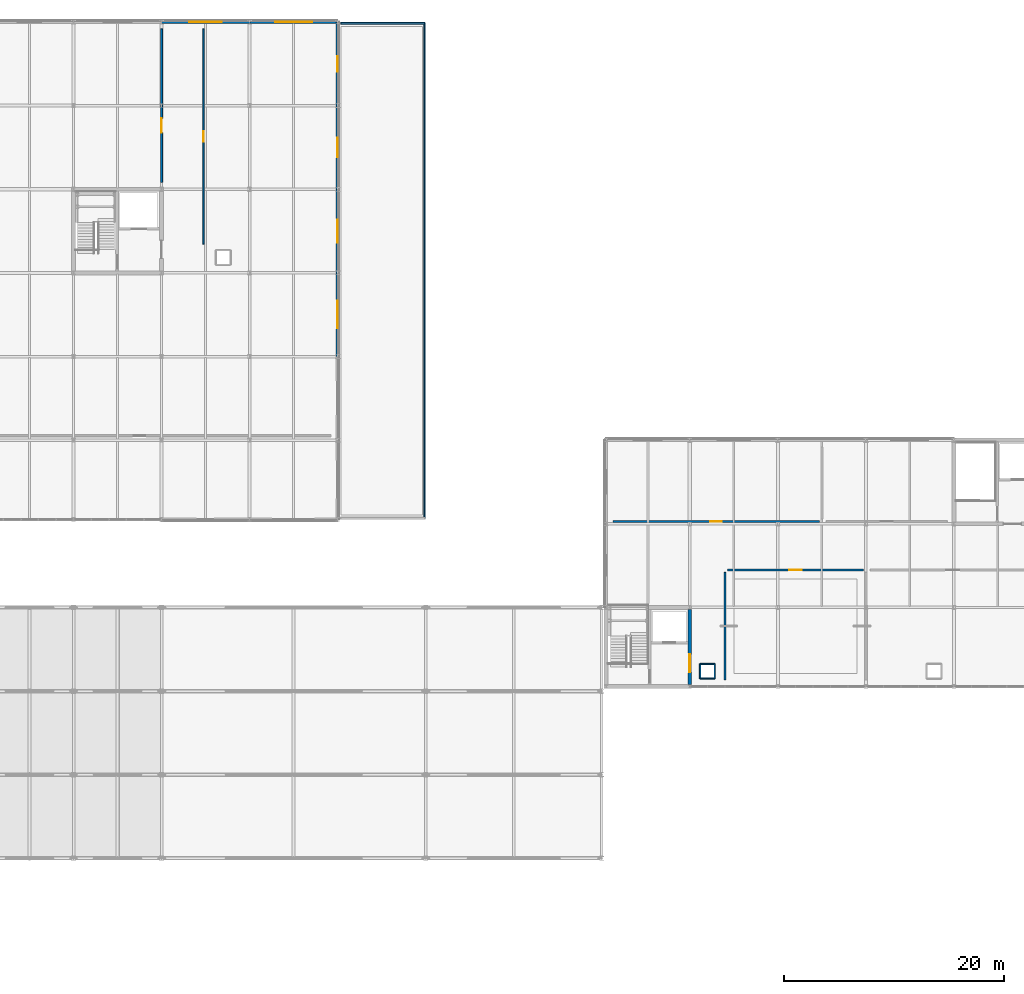
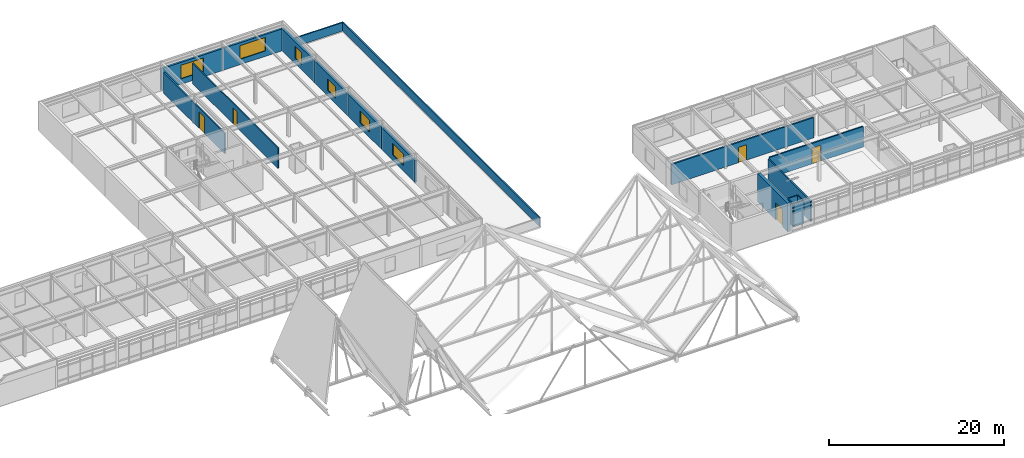
# One storey, part 73 of 85: 18 walls, 6 windows, 5 doors, 11 openings.
"""IFC4 building model written with IfcOpenShell, lengths in metres."""

from ifc_helpers import new_model, si_unit, direction, frame, frame_2d, origin, place, context, subcontext, project, spatial, rectangle, extrude, material, layer, layer_set, type_object, element, fill, save


model = new_model("IFC4")

# Units and contexts
model_context = context("Model", 3, precision=1e-05, world=origin(), true_north=direction((0.0, 1.0)))
body_context = subcontext(model_context, "Body", "Model", "MODEL_VIEW")
ifc_project = project(units=[si_unit("LENGTHUNIT", "METRE"), si_unit("AREAUNIT", "SQUARE_METRE"), si_unit("VOLUMEUNIT", "CUBIC_METRE"), si_unit("PLANEANGLEUNIT", "RADIAN"), si_unit("MASSUNIT", "GRAM", prefix="KILO")], contexts=[model_context])

# Site, building, storey
site_placement = place(None, origin())
site = spatial("IfcSite", under=ifc_project, at=site_placement, CompositionType="ELEMENT")
building_placement = place(site_placement, origin())
building = spatial("IfcBuilding", under=site, at=building_placement, Name="Zulena Civic Courthouse", CompositionType="ELEMENT")
storey_placement = place(building_placement, frame((0.0, 0.0, 25.199951171875)))
storey = spatial("IfcBuildingStorey", under=building, at=storey_placement, Name="L05", CompositionType="ELEMENT", Elevation=25.199951171875)

# Wall, opening, door
ifc_material_1 = material(Name="Concrete C40/50", Category="concrete")
ifc_layer_1 = layer(ifc_material_1, 0.35009765625)
ifc_layer_set_1 = layer_set([ifc_layer_1], Name="Concrete C40/50")
wall_type_1 = type_object("IfcWallType", Name="CoreShearWall_RC350", PredefinedType="SHEAR", material=ifc_layer_set_1)
wall_1_placement = place(storey_placement, frame((132.0, 30.97509765625, 0.0), z_axis=(0.0, 0.0, 1.0), x_axis=(0.0, 1.0, 0.0)))
wall_1 = element("IfcWall", 1, at=wall_1_placement, inside=storey, type_object=wall_type_1, Name="cwall:K3A:L05:E", PredefinedType="SHEAR", context=body_context, shape_type="SweptSolid", body=[
    extrude(rectangle(XDim=6.849853515625, YDim=0.35009765625, at=frame_2d((3.4248046875, 0.0))), origin(), (0.0, 0.0, 1.0), 3.989990234375),
])
opening_1_placement = place(wall_1_placement, frame((1.14990234375, 0.0, 0.0)))
opening_1 = element("IfcOpeningElement", 2, at=opening_1_placement, cuts=wall_1, Name="Opening ID04", PredefinedType="OPENING", context=body_context, shape_type="SweptSolid", body=[
    extrude(rectangle(XDim=1.60009765625, YDim=2.35009765625, at=frame_2d((0.800048828125, 1.175048828125))), frame((0.0, 0.18505859375, 0.0), z_axis=(0.0, -1.0, 0.0), x_axis=(1.0, 0.0, 0.0)), (0.0, 0.0, 1.0), 0.3701171875),
])
ifc_material_2 = material(Name="Solid-core acoustic hardwood timber", Category="wood")
door_type_1 = type_object("IfcDoorType", Name="IntDoor_CourtPublic_1600x2350", OperationType="DOUBLE_DOOR_SINGLE_SWING", PredefinedType="DOOR", material=ifc_material_2)
door_1_placement = place(opening_1_placement, origin())
door_1 = element("IfcDoor", 3, at=door_1_placement, inside=storey, type_object=door_type_1, Name="door:corelob:K3A:L05", OperationType="DOUBLE_DOOR_SINGLE_SWING", OverallHeight=2.35009765625, OverallWidth=1.60009765625, PredefinedType="DOOR", context=body_context, shape_type="SweptSolid", body=[
    extrude(rectangle(XDim=1.60009765625, YDim=2.35009765625, at=frame_2d((0.800048828125, 1.175048828125))), frame((0.0, 0.02490234375, 0.0), z_axis=(0.0, -1.0, 0.0), x_axis=(1.0, 0.0, 0.0)), (0.0, 0.0, 1.0), 0.050048828125),
])
fill(opening_1, door_1)

# Wall, opening, window
ifc_material_3 = material(Name="Buff architectural precast concrete C40/50", Category="concrete")
ifc_layer_2 = layer(ifc_material_3, 0.264892578125)
ifc_layer_set_2 = layer_set([ifc_layer_2], Name="Buff architectural precast concrete C40/50")
wall_type_2 = type_object("IfcWallType", Name="ExtWall_BuffPrecast_265", PredefinedType="STANDARD", material=ifc_layer_set_2)
wall_2_placement = place(storey_placement, frame((83.97998046875, 91.199951171875, 0.0), z_axis=(0.0, 0.0, 1.0), x_axis=(1.0, 0.0, 0.0)))
wall_2 = element("IfcWall", 4, at=wall_2_placement, inside=storey, type_object=wall_type_2, Name="ewall:V5:L05:3:2", PredefinedType="STANDARD", context=body_context, shape_type="SweptSolid", body=[
    extrude(rectangle(XDim=8.0400390625, YDim=0.264892578125, at=frame_2d((4.02001953125, 0.0))), origin(), (0.0, 0.0, 1.0), 3.06005859375),
])
opening_2_placement = place(wall_2_placement, frame((2.544921875, 0.0, 0.75)))
opening_2 = element("IfcOpeningElement", 5, at=opening_2_placement, cuts=wall_2, Name="Opening WN40", PredefinedType="OPENING", context=body_context, shape_type="SweptSolid", body=[
    extrude(rectangle(XDim=2.949951171875, YDim=1.89990234375, at=frame_2d((1.47509765625, 0.949951171875))), frame((0.0, 0.142333984375, 0.0), z_axis=(0.0, -1.0, 0.0), x_axis=(1.0, 0.0, 0.0)), (0.0, 0.0, 1.0), 0.284912109375),
])
ifc_material_4 = material(Name="Double-silver low-E laminated solar-control glass", Category="glass")
window_type_1 = type_object("IfcWindowType", Name="Win_2950x1900", PartitioningType="DOUBLE_PANEL_VERTICAL", PredefinedType="WINDOW", material=ifc_material_4)
window_1_placement = place(opening_2_placement, origin())
window_1 = element("IfcWindow", 6, at=window_1_placement, inside=storey, type_object=window_type_1, Name="win:V5:L05:3:2", OverallHeight=1.89990234375, OverallWidth=2.949951171875, PartitioningType="SINGLE_PANEL", PredefinedType="WINDOW", context=body_context, shape_type="SweptSolid", body=[
    extrude(rectangle(XDim=2.949951171875, YDim=1.89990234375, at=frame_2d((1.47509765625, 0.949951171875))), frame((0.0, 0.030029296875, 0.0), z_axis=(0.0, -1.0, 0.0), x_axis=(1.0, 0.0, 0.0)), (0.0, 0.0, 1.0), 0.06005859375),
])
fill(opening_2, window_1)

wall_3_placement = place(storey_placement, frame((91.97998046875, 91.199951171875, 0.0), z_axis=(0.0, 0.0, 1.0), x_axis=(1.0, 0.0, 0.0)))
wall_3 = element("IfcWall", 7, at=wall_3_placement, inside=storey, type_object=wall_type_2, Name="ewall:V5:L05:3:3", PredefinedType="STANDARD", context=body_context, shape_type="SweptSolid", body=[
    extrude(rectangle(XDim=8.0400390625, YDim=0.264892578125, at=frame_2d((4.02001953125, 0.0))), origin(), (0.0, 0.0, 1.0), 3.06005859375),
])
opening_3_placement = place(wall_3_placement, frame((2.344970703125, 0.0, 0.75)))
opening_3 = element("IfcOpeningElement", 8, at=opening_3_placement, cuts=wall_3, Name="Opening WN41", PredefinedType="OPENING", context=body_context, shape_type="SweptSolid", body=[
    extrude(rectangle(XDim=3.35009765625, YDim=1.89990234375, at=frame_2d((1.675048828125, 0.949951171875))), frame((0.0, 0.142333984375, 0.0), z_axis=(0.0, -1.0, 0.0), x_axis=(1.0, 0.0, 0.0)), (0.0, 0.0, 1.0), 0.284912109375),
])
window_type_2 = type_object("IfcWindowType", Name="Win_3350x1900", PartitioningType="DOUBLE_PANEL_VERTICAL", PredefinedType="WINDOW", material=ifc_material_4)
window_2_placement = place(opening_3_placement, origin())
window_2 = element("IfcWindow", 9, at=window_2_placement, inside=storey, type_object=window_type_2, Name="win:V5:L05:3:3", OverallHeight=1.89990234375, OverallWidth=3.35009765625, PartitioningType="SINGLE_PANEL", PredefinedType="WINDOW", context=body_context, shape_type="SweptSolid", body=[
    extrude(rectangle(XDim=3.35009765625, YDim=1.89990234375, at=frame_2d((1.675048828125, 0.949951171875))), frame((0.0, 0.030029296875, 0.0), z_axis=(0.0, -1.0, 0.0), x_axis=(1.0, 0.0, 0.0)), (0.0, 0.0, 1.0), 0.06005859375),
])
fill(opening_3, window_2)

wall_4_placement = place(storey_placement, frame((100.0, 91.219970703125, 0.0), z_axis=(0.0, 0.0, 1.0), x_axis=(0.0, -1.0, 0.0)))
wall_4 = element("IfcWall", 10, at=wall_4_placement, inside=storey, type_object=wall_type_2, Name="ewall:V5:L05:4:0", PredefinedType="STANDARD", context=body_context, shape_type="SweptSolid", body=[
    extrude(rectangle(XDim=7.639892578125, YDim=0.264892578125, at=frame_2d((3.81982421875, 0.0))), origin(), (0.0, 0.0, 1.0), 3.06005859375),
])
opening_4_placement = place(wall_4_placement, frame((3.1201171875, 0.0, 0.75)))
opening_4 = element("IfcOpeningElement", 11, at=opening_4_placement, cuts=wall_4, Name="Opening WN42", PredefinedType="OPENING", context=body_context, shape_type="SweptSolid", body=[
    extrude(rectangle(XDim=1.39990234375, YDim=1.64990234375, at=frame_2d((0.699951171875, 0.824951171875))), frame((0.0, 0.142333984375, 0.0), z_axis=(0.0, -1.0, 0.0), x_axis=(1.0, 0.0, 0.0)), (0.0, 0.0, 1.0), 0.284912109375),
])
window_type_3 = type_object("IfcWindowType", Name="Win_1400x1650", PartitioningType="SINGLE_PANEL", PredefinedType="WINDOW", material=ifc_material_4)
window_3_placement = place(opening_4_placement, origin())
window_3 = element("IfcWindow", 12, at=window_3_placement, inside=storey, type_object=window_type_3, Name="win:V5:L05:4:0", OverallHeight=1.64990234375, OverallWidth=1.39990234375, PartitioningType="SINGLE_PANEL", PredefinedType="WINDOW", context=body_context, shape_type="SweptSolid", body=[
    extrude(rectangle(XDim=1.39990234375, YDim=1.64990234375, at=frame_2d((0.699951171875, 0.824951171875))), frame((0.0, 0.030029296875, 0.0), z_axis=(0.0, -1.0, 0.0), x_axis=(1.0, 0.0, 0.0)), (0.0, 0.0, 1.0), 0.06005859375),
])
fill(opening_4, window_3)

wall_5_placement = place(storey_placement, frame((100.0, 83.6201171875, 0.0), z_axis=(0.0, 0.0, 1.0), x_axis=(0.0, -1.0, 0.0)))
wall_5 = element("IfcWall", 13, at=wall_5_placement, inside=storey, type_object=wall_type_2, Name="ewall:V5:L05:4:1", PredefinedType="STANDARD", context=body_context, shape_type="SweptSolid", body=[
    extrude(rectangle(XDim=7.64013671875, YDim=0.264892578125, at=frame_2d((3.820068359375, 0.0))), origin(), (0.0, 0.0, 1.0), 3.06005859375),
])
opening_5_placement = place(wall_5_placement, frame((2.945068359375, 0.0, 0.75)))
opening_5 = element("IfcOpeningElement", 14, at=opening_5_placement, cuts=wall_5, Name="Opening WN43", PredefinedType="OPENING", context=body_context, shape_type="SweptSolid", body=[
    extrude(rectangle(XDim=1.75, YDim=1.64990234375, at=frame_2d((0.875, 0.824951171875))), frame((0.0, 0.142333984375, 0.0), z_axis=(0.0, -1.0, 0.0), x_axis=(1.0, 0.0, 0.0)), (0.0, 0.0, 1.0), 0.284912109375),
])
window_type_4 = type_object("IfcWindowType", Name="Win_1750x1650", PartitioningType="SINGLE_PANEL", PredefinedType="WINDOW", material=ifc_material_4)
window_4_placement = place(opening_5_placement, origin())
window_4 = element("IfcWindow", 15, at=window_4_placement, inside=storey, type_object=window_type_4, Name="win:V5:L05:4:1", OverallHeight=1.64990234375, OverallWidth=1.75, PartitioningType="SINGLE_PANEL", PredefinedType="WINDOW", context=body_context, shape_type="SweptSolid", body=[
    extrude(rectangle(XDim=1.75, YDim=1.64990234375, at=frame_2d((0.875, 0.824951171875))), frame((0.0, 0.030029296875, 0.0), z_axis=(0.0, -1.0, 0.0), x_axis=(1.0, 0.0, 0.0)), (0.0, 0.0, 1.0), 0.06005859375),
])
fill(opening_5, window_4)

wall_6_placement = place(storey_placement, frame((100.0, 76.02001953125, 0.0), z_axis=(0.0, 0.0, 1.0), x_axis=(0.0, -1.0, 0.0)))
wall_6 = element("IfcWall", 16, at=wall_6_placement, inside=storey, type_object=wall_type_2, Name="ewall:V5:L05:4:2", PredefinedType="STANDARD", context=body_context, shape_type="SweptSolid", body=[
    extrude(rectangle(XDim=7.64013671875, YDim=0.264892578125, at=frame_2d((3.820068359375, 0.0))), origin(), (0.0, 0.0, 1.0), 3.06005859375),
])
opening_6_placement = place(wall_6_placement, frame((2.77001953125, 0.0, 0.75)))
opening_6 = element("IfcOpeningElement", 17, at=opening_6_placement, cuts=wall_6, Name="Opening WN44", PredefinedType="OPENING", context=body_context, shape_type="SweptSolid", body=[
    extrude(rectangle(XDim=2.10009765625, YDim=1.64990234375, at=frame_2d((1.050048828125, 0.824951171875))), frame((0.0, 0.142333984375, 0.0), z_axis=(0.0, -1.0, 0.0), x_axis=(1.0, 0.0, 0.0)), (0.0, 0.0, 1.0), 0.284912109375),
])
window_type_5 = type_object("IfcWindowType", Name="Win_2100x1650", PartitioningType="DOUBLE_PANEL_VERTICAL", PredefinedType="WINDOW", material=ifc_material_4)
window_5_placement = place(opening_6_placement, origin())
window_5 = element("IfcWindow", 18, at=window_5_placement, inside=storey, type_object=window_type_5, Name="win:V5:L05:4:2", OverallHeight=1.64990234375, OverallWidth=2.10009765625, PartitioningType="SINGLE_PANEL", PredefinedType="WINDOW", context=body_context, shape_type="SweptSolid", body=[
    extrude(rectangle(XDim=2.10009765625, YDim=1.64990234375, at=frame_2d((1.050048828125, 0.824951171875))), frame((0.0, 0.030029296875, 0.0), z_axis=(0.0, -1.0, 0.0), x_axis=(1.0, 0.0, 0.0)), (0.0, 0.0, 1.0), 0.06005859375),
])
fill(opening_6, window_5)

wall_7_placement = place(storey_placement, frame((100.0, 68.419921875, 0.0), z_axis=(0.0, 0.0, 1.0), x_axis=(0.0, -1.0, 0.0)))
wall_7 = element("IfcWall", 19, at=wall_7_placement, inside=storey, type_object=wall_type_2, Name="ewall:V5:L05:4:3", PredefinedType="STANDARD", context=body_context, shape_type="SweptSolid", body=[
    extrude(rectangle(XDim=7.639892578125, YDim=0.264892578125, at=frame_2d((3.81982421875, 0.0))), origin(), (0.0, 0.0, 1.0), 3.06005859375),
])
opening_7_placement = place(wall_7_placement, frame((2.570068359375, 0.0, 0.75)))
opening_7 = element("IfcOpeningElement", 20, at=opening_7_placement, cuts=wall_7, Name="Opening WN45", PredefinedType="OPENING", context=body_context, shape_type="SweptSolid", body=[
    extrude(rectangle(XDim=2.5, YDim=1.64990234375, at=frame_2d((1.25, 0.824951171875))), frame((0.0, 0.142333984375, 0.0), z_axis=(0.0, -1.0, 0.0), x_axis=(1.0, 0.0, 0.0)), (0.0, 0.0, 1.0), 0.284912109375),
])
window_type_6 = type_object("IfcWindowType", Name="Win_2500x1650", PartitioningType="DOUBLE_PANEL_VERTICAL", PredefinedType="WINDOW", material=ifc_material_4)
window_6_placement = place(opening_7_placement, origin())
window_6 = element("IfcWindow", 21, at=window_6_placement, inside=storey, type_object=window_type_6, Name="win:V5:L05:4:3", OverallHeight=1.64990234375, OverallWidth=2.5, PartitioningType="SINGLE_PANEL", PredefinedType="WINDOW", context=body_context, shape_type="SweptSolid", body=[
    extrude(rectangle(XDim=2.5, YDim=1.64990234375, at=frame_2d((1.25, 0.824951171875))), frame((0.0, 0.030029296875, 0.0), z_axis=(0.0, -1.0, 0.0), x_axis=(1.0, 0.0, 0.0)), (0.0, 0.0, 1.0), 0.06005859375),
])
fill(opening_7, window_6)

# Walls
ifc_layer_3 = layer(ifc_material_3, 0.169921875)
ifc_layer_set_3 = layer_set([ifc_layer_3], Name="Buff architectural precast concrete C40/50")
wall_type_3 = type_object("IfcWallType", Name="Parapet_Buff_170", PredefinedType="PARAPET", material=ifc_layer_set_3)
wall_8_placement = place(storey_placement, frame((107.89990234375, 46.10009765625, 0.0), z_axis=(0.0, 0.0, 1.0), x_axis=(0.0, 1.0, 0.0)))
element("IfcWall", 22, at=wall_8_placement, inside=storey, type_object=wall_type_3, Name="parapet:V5ES:1", PredefinedType="PARAPET", context=body_context, shape_type="SweptSolid", body=[
    extrude(rectangle(XDim=45.0, YDim=0.169921875, at=frame_2d((22.5, 0.0))), origin(), (0.0, 0.0, 1.0), 1.199951171875),
])
wall_9_placement = place(storey_placement, frame((107.89990234375, 91.10009765625, 0.0), z_axis=(0.0, 0.0, 1.0), x_axis=(-1.0, 0.0, 0.0)))
element("IfcWall", 23, at=wall_9_placement, inside=storey, type_object=wall_type_3, Name="parapet:V5ES:2", PredefinedType="PARAPET", context=body_context, shape_type="SweptSolid", body=[
    extrude(rectangle(XDim=7.599853515625, YDim=0.169921875, at=frame_2d((3.7998046875, 0.0))), origin(), (0.0, 0.0, 1.0), 1.199951171875),
])

# Wall, opening, door
ifc_material_5 = material(Name="Acoustic fire-rated gypsum board assembly", Category="masonry")
ifc_layer_4 = layer(ifc_material_5, 0.14599609375)
ifc_layer_set_4 = layer_set([ifc_layer_4], Name="Acoustic fire-rated gypsum board assembly")
wall_type_4 = type_object("IfcWallType", Name="PartWall_Chambers_146", PredefinedType="PARTITIONING", material=ifc_layer_set_4)
wall_10_placement = place(storey_placement, frame((87.800048828125, 71.02001953125, 0.0), z_axis=(0.0, 0.0, 1.0), x_axis=(0.0, 1.0, 0.0)))
wall_10 = element("IfcWall", 24, at=wall_10_placement, inside=storey, type_object=wall_type_4, Name="pwall:L05:417:0", PredefinedType="PARTITIONING", context=body_context, shape_type="SweptSolid", body=[
    extrude(rectangle(XDim=19.56005859375, YDim=0.14599609375, at=frame_2d((9.780029296875, 0.0))), origin(), (0.0, 0.0, 1.0), 2.85009765625),
])
opening_8_placement = place(wall_10_placement, frame((9.2900390625, 0.0, 0.0)))
opening_8 = element("IfcOpeningElement", 25, at=opening_8_placement, cuts=wall_10, Name="Opening ID29", PredefinedType="OPENING", context=body_context, shape_type="SweptSolid", body=[
    extrude(rectangle(XDim=0.97998046875, YDim=2.25, at=frame_2d((0.489990234375, 1.125))), frame((0.0, 0.0830078125, 0.0), z_axis=(0.0, -1.0, 0.0), x_axis=(1.0, 0.0, 0.0)), (0.0, 0.0, 1.0), 0.166015625),
])
door_type_2 = type_object("IfcDoorType", Name="IntDoor_Clerks_980x2250", OperationType="NOTDEFINED", PredefinedType="DOOR", material=ifc_material_2)
door_2_placement = place(opening_8_placement, origin())
door_2 = element("IfcDoor", 26, at=door_2_placement, inside=storey, type_object=door_type_2, Name="door:rm:L05:417", OperationType="SINGLE_SWING_RIGHT", OverallHeight=2.25, OverallWidth=0.97998046875, PredefinedType="DOOR", context=body_context, shape_type="SweptSolid", body=[
    extrude(rectangle(XDim=0.97998046875, YDim=2.25, at=frame_2d((0.489990234375, 1.125))), frame((0.0, 0.02490234375, 0.0), z_axis=(0.0, -1.0, 0.0), x_axis=(1.0, 0.0, 0.0)), (0.0, 0.0, 1.0), 0.050048828125),
])
fill(opening_8, door_2)

ifc_layer_5 = layer(ifc_material_5, 0.177978515625)
ifc_layer_set_5 = layer_set([ifc_layer_5], Name="Acoustic fire-rated gypsum board assembly")
wall_type_5 = type_object("IfcWallType", Name="PartWall_Corridor_178", PredefinedType="PARTITIONING", material=ifc_layer_set_5)
wall_11_placement = place(storey_placement, frame((135.419921875, 41.39990234375, 0.0), z_axis=(0.0, 0.0, 1.0), x_axis=(1.0, 0.0, 0.0)))
wall_11 = element("IfcWall", 27, at=wall_11_placement, inside=storey, type_object=wall_type_5, Name="pwall:L05:284:0", PredefinedType="PARTITIONING", context=body_context, shape_type="SweptSolid", body=[
    extrude(rectangle(XDim=12.360107421875, YDim=0.177978515625, at=frame_2d((6.18017578125, 0.0))), origin(), (0.0, 0.0, 1.0), 2.85009765625),
])
opening_9_placement = place(wall_11_placement, frame((5.60498046875, 0.0, 0.0)))
opening_9 = element("IfcOpeningElement", 28, at=opening_9_placement, cuts=wall_11, Name="Opening ID08", PredefinedType="OPENING", context=body_context, shape_type="SweptSolid", body=[
    extrude(rectangle(XDim=1.14990234375, YDim=2.199951171875, at=frame_2d((0.574951171875, 1.10009765625))), frame((0.0, 0.098876953125, 0.0), z_axis=(0.0, -1.0, 0.0), x_axis=(1.0, 0.0, 0.0)), (0.0, 0.0, 1.0), 0.197998046875),
])
ifc_material_6 = material(Name="Fire-rated galvanised steel ASTM A653 Grade 50", Category="steel")
door_type_3 = type_object("IfcDoorType", Name="IntDoor_Stair_1150x2200", OperationType="NOTDEFINED", PredefinedType="DOOR", material=ifc_material_6)
door_3_placement = place(opening_9_placement, origin())
door_3 = element("IfcDoor", 29, at=door_3_placement, inside=storey, type_object=door_type_3, Name="door:rm:L05:284", OperationType="SINGLE_SWING_RIGHT", OverallHeight=2.199951171875, OverallWidth=1.14990234375, PredefinedType="DOOR", context=body_context, shape_type="SweptSolid", body=[
    extrude(rectangle(XDim=1.14990234375, YDim=2.199951171875, at=frame_2d((0.574951171875, 1.10009765625))), frame((0.0, 0.02490234375, 0.0), z_axis=(0.0, -1.0, 0.0), x_axis=(1.0, 0.0, 0.0)), (0.0, 0.0, 1.0), 0.050048828125),
])
fill(opening_9, door_3)

# Wall
wall_12_placement = place(storey_placement, frame((135.199951171875, 31.419921875, 0.0), z_axis=(0.0, 0.0, 1.0), x_axis=(0.0, 1.0, 0.0)))
element("IfcWall", 30, at=wall_12_placement, inside=storey, type_object=wall_type_5, Name="pwall:L05:284:2", PredefinedType="PARTITIONING", context=body_context, shape_type="SweptSolid", body=[
    extrude(rectangle(XDim=9.760009765625, YDim=0.177978515625, at=frame_2d((4.8798828125, 0.0))), origin(), (0.0, 0.0, 1.0), 2.85009765625),
])

# Wall, opening, door
wall_13_placement = place(storey_placement, frame((84.0, 76.6201171875, 0.0), z_axis=(0.0, 0.0, 1.0), x_axis=(0.0, 1.0, 0.0)))
wall_13 = element("IfcWall", 31, at=wall_13_placement, inside=storey, type_object=wall_type_5, Name="pwall:L05:418:0", PredefinedType="PARTITIONING", context=body_context, shape_type="SweptSolid", body=[
    extrude(rectangle(XDim=13.9599609375, YDim=0.177978515625, at=frame_2d((6.97998046875, 0.0))), origin(), (0.0, 0.0, 1.0), 2.85009765625),
])
opening_10_placement = place(wall_13_placement, frame((4.52001953125, 0.0, 0.0)))
opening_10 = element("IfcOpeningElement", 32, at=opening_10_placement, cuts=wall_13, Name="Opening ID30", PredefinedType="OPENING", context=body_context, shape_type="SweptSolid", body=[
    extrude(rectangle(XDim=1.320068359375, YDim=2.300048828125, at=frame_2d((0.66015625, 1.14990234375))), frame((0.0, 0.098876953125, 0.0), z_axis=(0.0, -1.0, 0.0), x_axis=(1.0, 0.0, 0.0)), (0.0, 0.0, 1.0), 0.197998046875),
])
door_type_4 = type_object("IfcDoorType", Name="IntDoor_Conference_1320x2300", OperationType="NOTDEFINED", PredefinedType="DOOR", material=ifc_material_2)
door_4_placement = place(opening_10_placement, origin())
door_4 = element("IfcDoor", 33, at=door_4_placement, inside=storey, type_object=door_type_4, Name="door:rm:L05:418", OperationType="SINGLE_SWING_LEFT", OverallHeight=2.300048828125, OverallWidth=1.320068359375, PredefinedType="DOOR", context=body_context, shape_type="SweptSolid", body=[
    extrude(rectangle(XDim=1.320068359375, YDim=2.300048828125, at=frame_2d((0.66015625, 1.14990234375))), frame((0.0, 0.02490234375, 0.0), z_axis=(0.0, -1.0, 0.0), x_axis=(1.0, 0.0, 0.0)), (0.0, 0.0, 1.0), 0.050048828125),
])
fill(opening_10, door_4)

ifc_material_7 = material(Name="Insulated blockwork masonry ASTM C90", Category="masonry")
ifc_layer_6 = layer(ifc_material_7, 0.196044921875)
ifc_layer_set_6 = layer_set([ifc_layer_6], Name="Insulated blockwork masonry ASTM C90")
wall_type_6 = type_object("IfcWallType", Name="PartWall_Plant_196", PredefinedType="PARTITIONING", material=ifc_layer_set_6)
wall_14_placement = place(storey_placement, frame((125.02001953125, 45.800048828125, 0.0), z_axis=(0.0, 0.0, 1.0), x_axis=(1.0, 0.0, 0.0)))
wall_14 = element("IfcWall", 34, at=wall_14_placement, inside=storey, type_object=wall_type_6, Name="pwall:L05:286:0", PredefinedType="PARTITIONING", context=body_context, shape_type="SweptSolid", body=[
    extrude(rectangle(XDim=18.760009765625, YDim=0.196044921875, at=frame_2d((9.3798828125, 0.0))), origin(), (0.0, 0.0, 1.0), 2.85009765625),
])
opening_11_placement = place(wall_14_placement, frame((8.85498046875, 0.0, 0.0)))
opening_11 = element("IfcOpeningElement", 35, at=opening_11_placement, cuts=wall_14, Name="Opening ID10", PredefinedType="OPENING", context=body_context, shape_type="SweptSolid", body=[
    extrude(rectangle(XDim=1.050048828125, YDim=2.14990234375, at=frame_2d((0.52490234375, 1.074951171875))), frame((0.0, 0.10791015625, 0.0), z_axis=(0.0, -1.0, 0.0), x_axis=(1.0, 0.0, 0.0)), (0.0, 0.0, 1.0), 0.216064453125),
])
door_type_5 = type_object("IfcDoorType", Name="IntDoor_Holding_1050x2150", OperationType="NOTDEFINED", PredefinedType="DOOR", material=ifc_material_6)
door_5_placement = place(opening_11_placement, origin())
door_5 = element("IfcDoor", 36, at=door_5_placement, inside=storey, type_object=door_type_5, Name="door:rm:L05:286", OperationType="SINGLE_SWING_RIGHT", OverallHeight=2.14990234375, OverallWidth=1.050048828125, PredefinedType="DOOR", context=body_context, shape_type="SweptSolid", body=[
    extrude(rectangle(XDim=1.050048828125, YDim=2.14990234375, at=frame_2d((0.52490234375, 1.074951171875))), frame((0.0, 0.02490234375, 0.0), z_axis=(0.0, -1.0, 0.0), x_axis=(1.0, 0.0, 0.0)), (0.0, 0.0, 1.0), 0.050048828125),
])
fill(opening_11, door_5)

# Walls
ifc_layer_7 = layer(ifc_material_7, 0.114990234375)
ifc_layer_set_7 = layer_set([ifc_layer_7], Name="Insulated blockwork masonry ASTM C90")
wall_type_7 = type_object("IfcWallType", Name="PartWall_Riser_115", PredefinedType="PARTITIONING", material=ifc_layer_set_7)
for number, where, z_axis, x_axis, name in (
    (37, (132.93994140625, 31.5400390625, 0.0), (0.0, 0.0, 1.0), (1.0, 0.0, 0.0), "riser:RS-V3W:L05:0"),
    (38, (134.260009765625, 31.5400390625, 0.0), (0.0, 0.0, 1.0), (0.0, 1.0, 0.0), "riser:RS-V3W:L05:1"),
    (39, (134.260009765625, 32.860107421875, 0.0), (0.0, 0.0, 1.0), (-1.0, 0.0, 0.0), "riser:RS-V3W:L05:2"),
    (40, (132.93994140625, 32.860107421875, 0.0), (0.0, 0.0, 1.0), (0.0, -1.0, 0.0), "riser:RS-V3W:L05:3"),
):
    element("IfcWall", number, at=place(storey_placement, frame(where, z_axis=z_axis, x_axis=x_axis)), inside=storey, type_object=wall_type_7, Name=name, PredefinedType="PARTITIONING", context=body_context, shape_type="SweptSolid", body=[
        extrude(rectangle(XDim=1.320068359375, YDim=0.114990234375, at=frame_2d((0.66015625, 0.0))), origin(), (0.0, 0.0, 1.0), 3.150146484375),
    ])

save(model, "model.ifc")
